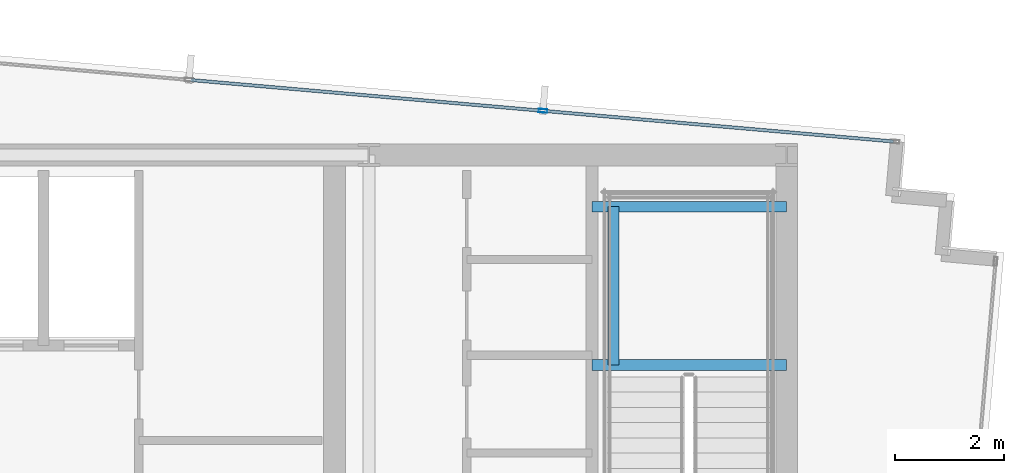
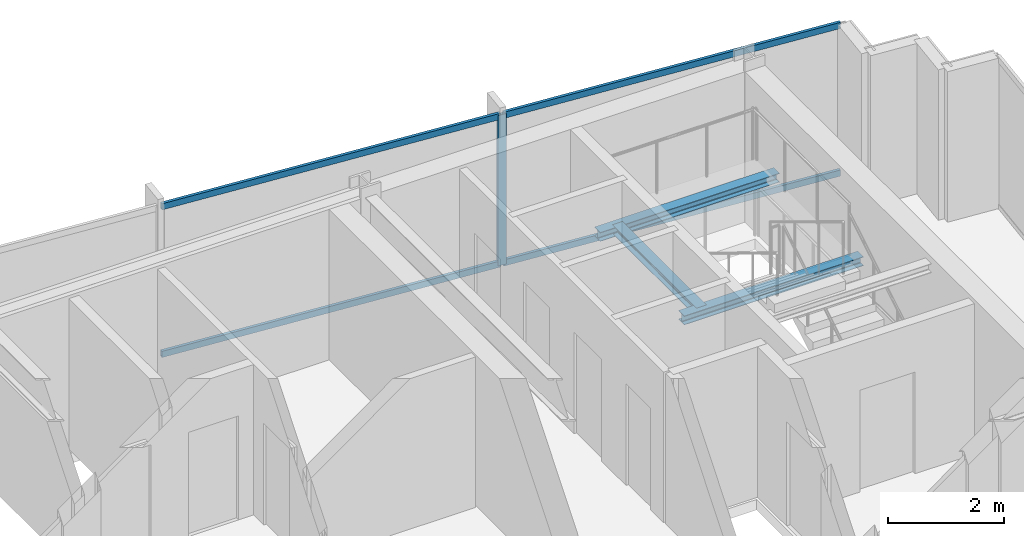
# One storey, part 20 of 32: 5 members, 3 beams, 1 element without a shape of its own.
"""IFC4 building model written with IfcOpenShell, lengths in metres."""

from ifc_helpers import new_model, si_unit, direction, frame, origin, origin_2d, place, context, subcontext, project, spatial, hollow_rectangle, i_section, extrude, material, material_profile, profile_set, type_object, element, aggregate, save


model = new_model("IFC4")

# Units and contexts
model_context = context("Model", 3, precision=1e-05, world=origin(), true_north=direction((0.0, 1.0)))
body_context = subcontext(model_context, "Body", "Model", "MODEL_VIEW")
ifc_project = project(units=[si_unit("LENGTHUNIT", "METRE"), si_unit("AREAUNIT", "SQUARE_METRE"), si_unit("VOLUMEUNIT", "CUBIC_METRE"), si_unit("PLANEANGLEUNIT", "RADIAN"), si_unit("MASSUNIT", "GRAM", prefix="KILO")], contexts=[model_context])

# Site, building, storey
site_placement = place(None, origin())
site = spatial("IfcSite", under=ifc_project, at=site_placement, CompositionType="ELEMENT")
building_placement = place(site_placement, origin())
building = spatial("IfcBuilding", under=site, at=building_placement, Name="Yelkora Congress Tower", CompositionType="ELEMENT")
storey_placement = place(building_placement, frame((0.0, 0.0, 272.699951171875)))
storey = spatial("IfcBuildingStorey", under=building, at=storey_placement, Name="L76", CompositionType="ELEMENT", Elevation=272.699951171875)

# Beams
ifc_material_1 = material(Name="Steel S355J2", Category="steel")
ifc_material_profile_1 = material_profile(ifc_material_1, i_section(OverallWidth=0.199951171875, OverallDepth=0.18994140625, WebThickness=0.006591796875, FlangeThickness=0.010009765625, FilletRadius=0.01806640625, at=origin_2d()), Name="HEA 200")
ifc_profile_set_1 = profile_set([ifc_material_profile_1], Name="Steel S355J2")
beam_type = type_object("IfcBeamType", Name="BM-LAND-HEA200", PredefinedType="BEAM", material=ifc_profile_set_1)
for number, where, z_axis, x_axis, name in (
    (1, (50.179931640625, 42.340087890625, 1.384765625), (1.0, 0.0, 0.0), (0.0, 1.0, 0.0), "ST-02 L76 Landing Header Beam 1S"),
    (2, (50.179931640625, 45.25, 1.384765625), (1.0, 0.0, 0.0), (0.0, 1.0, 0.0), "ST-02 L76 Landing Header Beam 1N"),
):
    element("IfcBeam", number, at=place(storey_placement, frame(where, z_axis=z_axis, x_axis=x_axis)), inside=storey, type_object=beam_type, Name=name, PredefinedType="BEAM", context=body_context, shape_type="SweptSolid", body=[
        extrude(i_section(OverallWidth=0.199951171875, OverallDepth=0.18994140625, WebThickness=0.006591796875, FlangeThickness=0.010009765625, FilletRadius=0.01806640625, at=origin_2d()), origin(), (0.0, 0.0, 1.0), 3.580078125),
    ])
beam_placement = place(storey_placement, frame((50.580078125, 42.340087890625, 1.384765625), z_axis=(0.0, 1.0, 0.0), x_axis=(-1.0, 0.0, 0.0)))
element("IfcBeam", 3, at=beam_placement, inside=storey, type_object=beam_type, Name="ST-02 L76 Landing Trimmer Beam 1M", PredefinedType="BEAM", context=body_context, shape_type="SweptSolid", body=[
    extrude(i_section(OverallWidth=0.199951171875, OverallDepth=0.18994140625, WebThickness=0.006591796875, FlangeThickness=0.010009765625, FilletRadius=0.01806640625, at=origin_2d()), origin(), (0.0, 0.0, 1.0), 2.909912109375),
])

# Curtain wall, members
ifc_material_2 = material(Name="Anodised aluminium and insulated glass", Category="aluminium")
curtain_wall_type = type_object("IfcCurtainWallType", Name="CW-SYS-B5", PredefinedType="NOTDEFINED", material=ifc_material_2)
curtain_wall_placement = place(storey_placement, origin())
curtain_wall = element("IfcCurtainWall", 4, at=curtain_wall_placement, inside=storey, type_object=curtain_wall_type, Name="L76 Unitised Curtain Wall 10", PredefinedType="NOTDEFINED")
ifc_material_3 = material(Name="Anodised aluminium 6063-T6", Category="aluminium")
ifc_material_profile_2 = material_profile(ifc_material_3, hollow_rectangle(XDim=0.06494140625, YDim=0.159912109375, WallThickness=0.00390625, at=origin_2d()), Name="ALU 65x160x4")
ifc_profile_set_2 = profile_set([ifc_material_profile_2], Name="Anodised aluminium 6063-T6")
member_type_1 = type_object("IfcMemberType", Name="MEM-ML-B5", PredefinedType="MULLION", material=ifc_profile_set_2)
member_1_placement = place(storey_placement, frame((49.279541015625, 47.01220703125, 0.0), z_axis=(0.0, 0.0, 1.0), x_axis=(0.087156639893, 0.996194619601, 0.0)))
member_1 = element("IfcMember", 5, at=member_1_placement, type_object=member_type_1, Name="CW-B5 mullion 7", PredefinedType="MULLION", context=body_context, shape_type="SweptSolid", body=[
    extrude(hollow_rectangle(XDim=0.06494140625, YDim=0.159912109375, WallThickness=0.00390625, at=origin_2d()), origin(), (0.0, 0.0, 1.0), 3.179931640625),
])
ifc_material_profile_3 = material_profile(ifc_material_3, hollow_rectangle(XDim=0.06005859375, YDim=0.1298828125, WallThickness=0.00390625, at=origin_2d()), Name="ALU 60x130x4")
ifc_profile_set_3 = profile_set([ifc_material_profile_3], Name="Anodised aluminium 6063-T6")
member_type_2 = type_object("IfcMemberType", Name="MEM-TR-B5", PredefinedType="USERDEFINED", material=ifc_profile_set_3)
member_2_placement = place(storey_placement, frame((42.80517578125, 47.57861328125, 0.030029296875), z_axis=(0.996196257862, -0.087137912649, 0.0), x_axis=(0.087137912649, 0.996196257862, 0.0)))
member_2 = element("IfcMember", 6, at=member_2_placement, type_object=member_type_2, Name="CW-B5 transom 6.1", ObjectType="TRANSOM", PredefinedType="USERDEFINED", context=body_context, shape_type="SweptSolid", body=[
    extrude(hollow_rectangle(XDim=0.06005859375, YDim=0.1298828125, WallThickness=0.00390625, at=origin_2d()), origin(), (0.0, 0.0, 1.0), 6.466552734375),
])
member_3_placement = place(storey_placement, frame((42.80517578125, 47.57861328125, 3.150146484375), z_axis=(0.996196257862, -0.087137912649, 0.0), x_axis=(0.087137912649, 0.996196257862, 0.0)))
member_3 = element("IfcMember", 7, at=member_3_placement, type_object=member_type_2, Name="CW-B5 transom 6.2", ObjectType="TRANSOM", PredefinedType="USERDEFINED", context=body_context, shape_type="SweptSolid", body=[
    extrude(hollow_rectangle(XDim=0.06005859375, YDim=0.1298828125, WallThickness=0.00390625, at=origin_2d()), origin(), (0.0, 0.0, 1.0), 6.466552734375),
])
member_4_placement = place(storey_placement, frame((49.311767578125, 47.009521484375, 0.030029296875), z_axis=(0.996194170551, -0.08716177236, 0.0), x_axis=(0.08716177236, 0.996194170551, 0.0)))
member_4 = element("IfcMember", 8, at=member_4_placement, type_object=member_type_2, Name="CW-B5 transom 7.1", ObjectType="TRANSOM", PredefinedType="USERDEFINED", context=body_context, shape_type="SweptSolid", body=[
    extrude(hollow_rectangle(XDim=0.06005859375, YDim=0.1298828125, WallThickness=0.00390625, at=origin_2d()), origin(), (0.0, 0.0, 1.0), 6.433837890625),
])
member_5_placement = place(storey_placement, frame((49.311767578125, 47.009521484375, 3.150146484375), z_axis=(0.996194170551, -0.08716177236, 0.0), x_axis=(0.08716177236, 0.996194170551, 0.0)))
member_5 = element("IfcMember", 9, at=member_5_placement, type_object=member_type_2, Name="CW-B5 transom 7.2", ObjectType="TRANSOM", PredefinedType="USERDEFINED", context=body_context, shape_type="SweptSolid", body=[
    extrude(hollow_rectangle(XDim=0.06005859375, YDim=0.1298828125, WallThickness=0.00390625, at=origin_2d()), origin(), (0.0, 0.0, 1.0), 6.433837890625),
])
aggregate(curtain_wall, [member_1, member_2, member_3, member_4, member_5])

save(model, "model.ifc")
